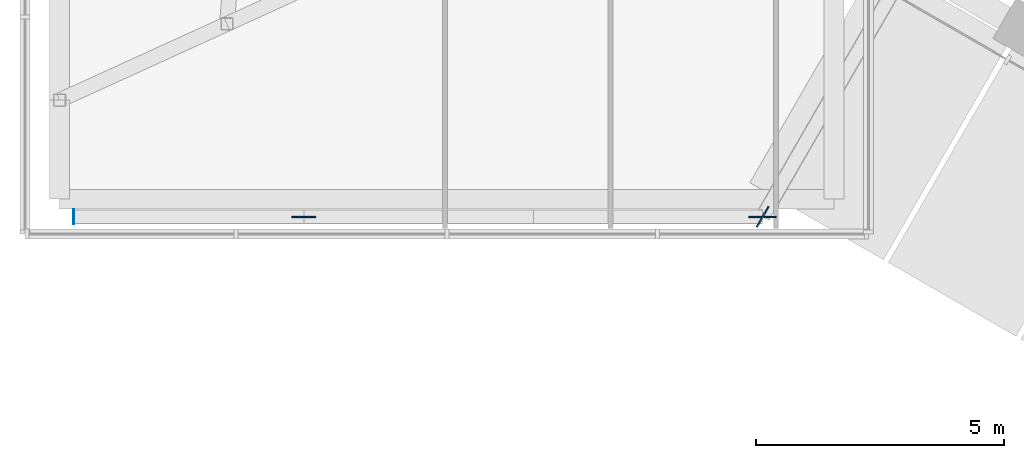
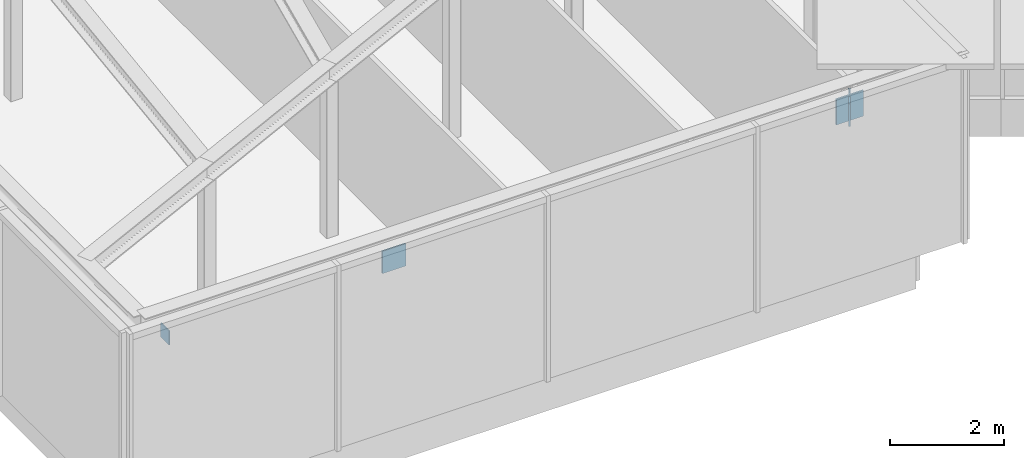
# One storey, part 20 of 24: 4 discrete accessories.
"""IFC4 building model written with IfcOpenShell, lengths in metres."""

from ifc_helpers import new_model, si_unit, direction, frame, origin, origin_2d, place, context, subcontext, project, spatial, rectangle, extrude, material, layer, layer_set, type_object, element, save


model = new_model("IFC4")

# Units and contexts
model_context = context("Model", 3, precision=1e-05, world=origin(), true_north=direction((0.0, 1.0)))
body_context = subcontext(model_context, "Body", "Model", "MODEL_VIEW")
ifc_project = project(units=[si_unit("LENGTHUNIT", "METRE"), si_unit("AREAUNIT", "SQUARE_METRE"), si_unit("VOLUMEUNIT", "CUBIC_METRE"), si_unit("PLANEANGLEUNIT", "RADIAN"), si_unit("MASSUNIT", "GRAM", prefix="KILO")], contexts=[model_context])

# Site, building, storey
site_placement = place(None, origin())
site = spatial("IfcSite", under=ifc_project, at=site_placement, CompositionType="ELEMENT")
building_placement = place(site_placement, origin())
building = spatial("IfcBuilding", under=site, at=building_placement, Name="Ayvan Gate Tower", CompositionType="ELEMENT")
storey_placement = place(building_placement, frame((0.0, 0.0, 210.10009765625)))
storey = spatial("IfcBuildingStorey", under=building, at=storey_placement, Name="L56", CompositionType="ELEMENT", Elevation=210.10009765625)

# Discrete accessories
ifc_material = material(Name="Steel S460ML", Category="steel")
ifc_layer_1 = layer(ifc_material, 0.030029296875)
ifc_layer_set_1 = layer_set([ifc_layer_1], Name="Steel S460ML")
discrete_accessory_type_1 = type_object("IfcDiscreteAccessoryType", Name="Gusset plate 30 mm", PredefinedType="BRACKET", material=ifc_layer_set_1)
discrete_accessory_1_placement = place(storey_placement, frame((-18.32421875, -17.2548828125, 3.159912109375), z_axis=(0.0, 0.0, 1.0), x_axis=(0.5, 0.866025403784, 0.0)))
element("IfcDiscreteAccessory", 1, at=discrete_accessory_1_placement, inside=storey, type_object=discrete_accessory_type_1, Name="Gusset plate SBX5-A-D-1", PredefinedType="BRACKET", context=body_context, shape_type="SweptSolid", body=[
    extrude(rectangle(XDim=0.47998046875, YDim=0.030029296875, at=origin_2d()), origin(), (0.0, 0.0, 1.0), 0.47998046875),
])
discrete_accessory_2_placement = place(storey_placement, frame((-18.32421875, -17.2548828125, 3.1240234375), z_axis=(0.0, 0.0, 1.0), x_axis=(1.0, 0.0, 0.0)))
element("IfcDiscreteAccessory", 2, at=discrete_accessory_2_placement, inside=storey, type_object=discrete_accessory_type_1, Name="Gusset plate SBX5-A-D-2", PredefinedType="BRACKET", context=body_context, shape_type="SweptSolid", body=[
    extrude(rectangle(XDim=0.552001953125, YDim=0.030029296875, at=origin_2d()), origin(), (0.0, 0.0, 1.0), 0.552001953125),
])
discrete_accessory_3_placement = place(storey_placement, frame((-27.5908203125, -17.2548828125, 3.159912109375), z_axis=(0.0, 0.0, 1.0), x_axis=(1.0, 0.0, 0.0)))
element("IfcDiscreteAccessory", 3, at=discrete_accessory_3_placement, inside=storey, type_object=discrete_accessory_type_1, Name="Gusset plate SBX5-A-D-3", PredefinedType="BRACKET", context=body_context, shape_type="SweptSolid", body=[
    extrude(rectangle(XDim=0.47998046875, YDim=0.030029296875, at=origin_2d()), origin(), (0.0, 0.0, 1.0), 0.47998046875),
])
ifc_layer_2 = layer(ifc_material, 0.02001953125)
ifc_layer_set_2 = layer_set([ifc_layer_2], Name="Steel S460ML")
discrete_accessory_type_2 = type_object("IfcDiscreteAccessoryType", Name="Sky bar end cap plate", PredefinedType="BRACKET", material=ifc_layer_set_2)
discrete_accessory_4_placement = place(storey_placement, frame((-32.234375, -17.2548828125, 3.25), z_axis=(0.0, 0.0, 1.0), x_axis=(-1.0, 0.0, 0.0)))
element("IfcDiscreteAccessory", 4, at=discrete_accessory_4_placement, inside=storey, type_object=discrete_accessory_type_2, Name="End cap SBX5-A-TC-4:EC", PredefinedType="BRACKET", context=body_context, shape_type="SweptSolid", body=[
    extrude(rectangle(XDim=0.02001953125, YDim=0.300048828125, at=origin_2d()), origin(), (0.0, 0.0, 1.0), 0.300048828125),
])

save(model, "model.ifc")
